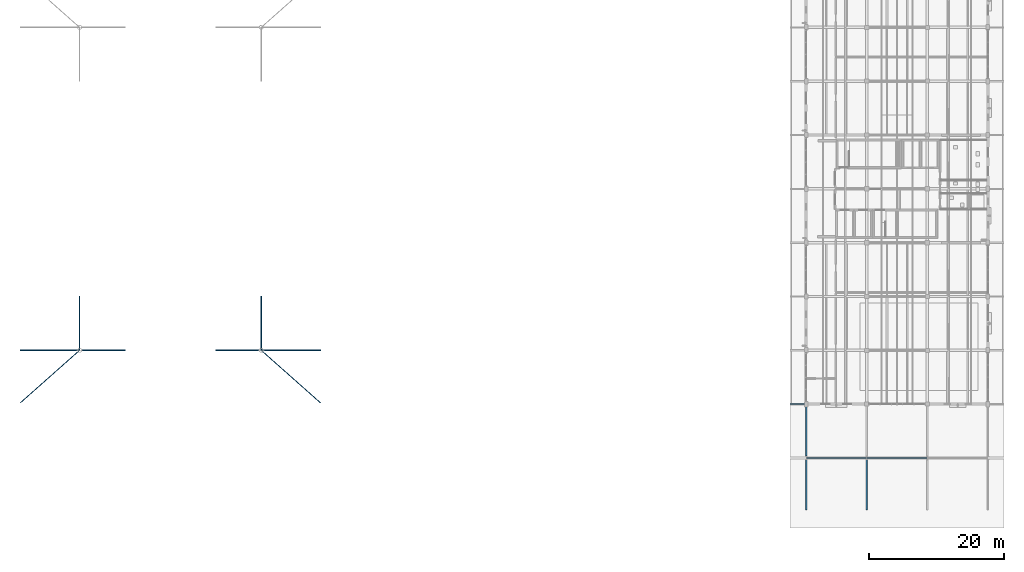
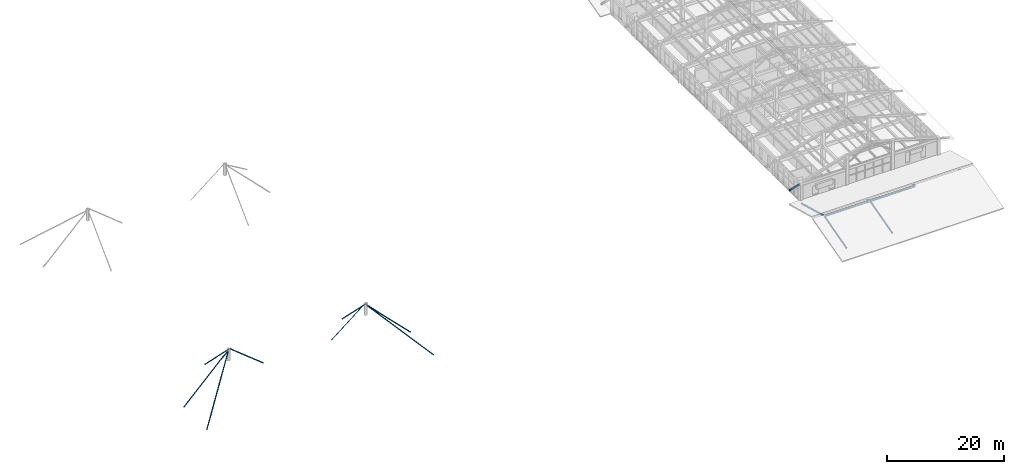
# One storey, part 8 of 58: 11 members, 3 beams.
"""IFC4 building model written with IfcOpenShell, lengths in metres."""

from ifc_helpers import new_model, si_unit, derived_unit, direction, frame, origin, origin_2d, place, context, subcontext, project, spatial, hollow_rectangle, hollow_circle, i_section, extrude, material, material_profile, profile_set, type_object, element, save


model = new_model("IFC4")

# Units and contexts
model_context = context("Model", 3, precision=1e-05, world=origin(), true_north=direction((0.0, 1.0)))
body_context = subcontext(model_context, "Body", "Model", "MODEL_VIEW")
ifc_project = project(units=[si_unit("LENGTHUNIT", "METRE"), si_unit("AREAUNIT", "SQUARE_METRE"), si_unit("VOLUMEUNIT", "CUBIC_METRE"), si_unit("PLANEANGLEUNIT", "RADIAN"), si_unit("MASSUNIT", "GRAM", prefix="KILO"), derived_unit("THERMALTRANSMITTANCEUNIT", [(si_unit("MASSUNIT", "GRAM", prefix="KILO"), 1), (si_unit("TIMEUNIT", "SECOND"), -3), (si_unit("THERMODYNAMICTEMPERATUREUNIT", "KELVIN"), -1)])], contexts=[model_context])

# Site, building, storey
site_placement = place(None, origin())
site = spatial("IfcSite", under=ifc_project, at=site_placement, CompositionType="ELEMENT")
building_placement = place(site_placement, origin())
building = spatial("IfcBuilding", under=site, at=building_placement, Name="Zhenchuan Archway Interchange", CompositionType="ELEMENT")
storey_placement = place(building_placement, frame((0.0, 0.0, 22.800048828125)))
storey = spatial("IfcBuildingStorey", under=building, at=storey_placement, Name="L05", CompositionType="ELEMENT", Elevation=22.800048828125)

# Beams
ifc_material_1 = material(Name="Steel Q355", Category="steel")
ifc_material_profile_1 = material_profile(ifc_material_1, i_section(OverallWidth=0.175048828125, OverallDepth=0.35009765625, WebThickness=0.007080078125, FlangeThickness=0.010986328125, FilletRadius=0.013916015625, at=origin_2d()), Name="HN 350x175")
ifc_profile_set_1 = profile_set([ifc_material_profile_1], Name="Steel Q355")
beam_type_1 = type_object("IfcBeamType", Name="BM_STL_EAVE_HN350", PredefinedType="BEAM", material=ifc_profile_set_1)
beam_placement = place(storey_placement, frame((143.820068359375, 24.0, 3.719970703125), z_axis=(-0.963829493521, 0.0, -0.266519619201), x_axis=(0.0, -1.0, 0.0)))
element("IfcBeam", 1, at=beam_placement, inside=storey, type_object=beam_type_1, Name="Command wing west storm-eave bracket T1", PredefinedType="BEAM", context=body_context, shape_type="SweptSolid", body=[
    extrude(i_section(OverallWidth=0.175048828125, OverallDepth=0.35009765625, WebThickness=0.007080078125, FlangeThickness=0.010986328125, FilletRadius=0.013916015625, at=origin_2d()), origin(), (0.0, 0.0, 1.0), 2.251708984375),
])
ifc_material_profile_2 = material_profile(ifc_material_1, i_section(OverallWidth=0.199951171875, OverallDepth=0.39990234375, WebThickness=0.008056640625, FlangeThickness=0.012939453125, FilletRadius=0.01611328125, at=origin_2d()), Name="HN 400x200")
ifc_profile_set_2 = profile_set([ifc_material_profile_2], Name="Steel Q355")
beam_type_2 = type_object("IfcBeamType", Name="BM_STL_GABLE_HN400", PredefinedType="BEAM", material=ifc_profile_set_2)
for number, where, z_axis, x_axis, name in (
    (2, (144.0400390625, 16.0, 1.8798828125), (1.0, 0.0, 0.0), (0.0, 1.0, 0.0), "East bar S ridge beam 1"),
    (3, (153.0400390625, 16.0, 1.8798828125), (1.0, 0.0, 0.0), (0.0, 1.0, 0.0), "East bar S ridge beam 2"),
):
    element("IfcBeam", number, at=place(storey_placement, frame(where, z_axis=z_axis, x_axis=x_axis)), inside=storey, type_object=beam_type_2, Name=name, PredefinedType="BEAM", context=body_context, shape_type="SweptSolid", body=[
        extrude(i_section(OverallWidth=0.199951171875, OverallDepth=0.39990234375, WebThickness=0.008056640625, FlangeThickness=0.012939453125, FilletRadius=0.01611328125, at=origin_2d()), origin(), (0.0, 0.0, 1.0), 8.919921875),
    ])

# Members
ifc_material_2 = material(Name="Steel Q390", Category="steel")
ifc_material_profile_3 = material_profile(ifc_material_2, hollow_circle(Radius=0.056884765625, WallThickness=0.006103515625, at=origin_2d()), Name="CHS 114x6")
ifc_profile_set_3 = profile_set([ifc_material_profile_3], Name="Steel Q390")
member_type_1 = type_object("IfcMemberType", Name="MB_CBL_CHS114", PredefinedType="USERDEFINED", material=ifc_profile_set_3)
for number, where, z_axis, x_axis, name in (
    (4, (36.0, 32.0, 2.25), (0.0, 0.708435144191, -0.705775918033), (-1.0, 0.0, 0.0), "CONCOURSE ROOF CABLE longitudinal mast stay SW"),
    (5, (63.0, 32.0, 2.25), (0.0, 0.708435144191, -0.705775918033), (-1.0, 0.0, 0.0), "CONCOURSE ROOF CABLE longitudinal mast stay SE"),
):
    element("IfcMember", number, at=place(storey_placement, frame(where, z_axis=z_axis, x_axis=x_axis)), inside=storey, type_object=member_type_1, Name=name, ObjectType="CABLE", PredefinedType="USERDEFINED", context=body_context, shape_type="SweptSolid", body=[
        extrude(hollow_circle(Radius=0.056884765625, WallThickness=0.006103515625, at=origin_2d()), origin(), (0.0, 0.0, 1.0), 11.29248046875),
    ])
ifc_material_profile_4 = material_profile(ifc_material_2, hollow_circle(Radius=0.070068359375, WallThickness=0.008056640625, at=origin_2d()), Name="CHS 140x8")
ifc_profile_set_4 = profile_set([ifc_material_profile_4], Name="Steel Q390")
member_type_2 = type_object("IfcMemberType", Name="MB_CBL_CHS140", PredefinedType="USERDEFINED", material=ifc_profile_set_4)
for number, where, z_axis, x_axis, name in (
    (6, (36.0, 32.0, 2.14990234375), (-0.597935479186, -0.529988642655, -0.601319550146), (0.663307778563, -0.748346705009, 0.0), "CONCOURSE ROOF CABLE mast back-stay SW"),
    (7, (63.0, 32.0, 2.14990234375), (0.597935479186, -0.529988642655, -0.601319550146), (0.663307778563, 0.748346705009, 0.0), "CONCOURSE ROOF CABLE mast back-stay SE"),
):
    element("IfcMember", number, at=place(storey_placement, frame(where, z_axis=z_axis, x_axis=x_axis)), inside=storey, type_object=member_type_2, Name=name, ObjectType="CABLE", PredefinedType="USERDEFINED", context=body_context, shape_type="SweptSolid", body=[
        extrude(hollow_circle(Radius=0.070068359375, WallThickness=0.008056640625, at=origin_2d()), origin(), (0.0, 0.0, 1.0), 14.71728515625),
    ])
for number, where, z_axis, x_axis, name in (
    (8, (36.0, 32.0, 2.14990234375), (-0.705108652287, 0.0, -0.709099279699), (0.0, -1.0, 0.0), "CONCOURSE ROOF CABLE mast back-stay SW-W"),
    (9, (63.0, 32.0, 2.14990234375), (0.705108652287, 0.0, -0.709099279699), (0.0, 1.0, 0.0), "CONCOURSE ROOF CABLE mast back-stay SE-E"),
):
    element("IfcMember", number, at=place(storey_placement, frame(where, z_axis=z_axis, x_axis=x_axis)), inside=storey, type_object=member_type_2, Name=name, ObjectType="CABLE", PredefinedType="USERDEFINED", context=body_context, shape_type="SweptSolid", body=[
        extrude(hollow_circle(Radius=0.070068359375, WallThickness=0.008056640625, at=origin_2d()), origin(), (0.0, 0.0, 1.0), 12.48046875),
    ])
for number, where, z_axis, x_axis, name in (
    (10, (36.320068359375, 32.0, 2.25), (0.779316169086, 0.0, -0.626630918963), (0.0, 1.0, 0.0), "CONCOURSE ROOF CABLE mast suspension forestay SW"),
    (11, (62.679931640625, 32.0, 2.25), (-0.779316169086, 0.0, -0.626630918963), (0.0, -1.0, 0.0), "CONCOURSE ROOF CABLE mast suspension forestay SE"),
):
    element("IfcMember", number, at=place(storey_placement, frame(where, z_axis=z_axis, x_axis=x_axis)), inside=storey, type_object=member_type_2, Name=name, ObjectType="CABLE", PredefinedType="USERDEFINED", context=body_context, shape_type="SweptSolid", body=[
        extrude(hollow_circle(Radius=0.070068359375, WallThickness=0.008056640625, at=origin_2d()), origin(), (0.0, 0.0, 1.0), 8.250732421875),
    ])
ifc_material_profile_5 = material_profile(ifc_material_1, hollow_rectangle(XDim=0.199951171875, YDim=0.300048828125, WallThickness=0.010009765625, InnerFilletRadius=0.010009765625, OuterFilletRadius=0.02001953125, at=origin_2d()), Name="RHS 300x200x10")
ifc_profile_set_5 = profile_set([ifc_material_profile_5], Name="Steel Q355")
member_type_3 = type_object("IfcMemberType", Name="MB_RHS300", PredefinedType="CHORD", material=ifc_profile_set_5)
for number, where, z_axis, x_axis, name in (
    (12, (144.0, 8.300048828125, -0.179931640625), (0.0, 0.964770361033, 0.263093425368), (-1.0, 0.0, 0.0), "East bar S rafter X144-1"),
    (13, (144.0, 16.219970703125, 1.85986328125), (0.0, 0.964770361033, -0.263093425368), (-1.0, 0.0, 0.0), "East bar S rafter X144-2"),
    (14, (153.0, 8.300048828125, -0.179931640625), (0.0, 0.964770361033, 0.263093425368), (-1.0, 0.0, 0.0), "East bar S rafter X153-1"),
):
    element("IfcMember", number, at=place(storey_placement, frame(where, z_axis=z_axis, x_axis=x_axis)), inside=storey, type_object=member_type_3, Name=name, PredefinedType="CHORD", context=body_context, shape_type="SweptSolid", body=[
        extrude(hollow_rectangle(XDim=0.199951171875, YDim=0.300048828125, WallThickness=0.010009765625, InnerFilletRadius=0.010009765625, OuterFilletRadius=0.02001953125, at=origin_2d()), origin(), (0.0, 0.0, 1.0), 7.753173828125),
    ])

save(model, "model.ifc")
